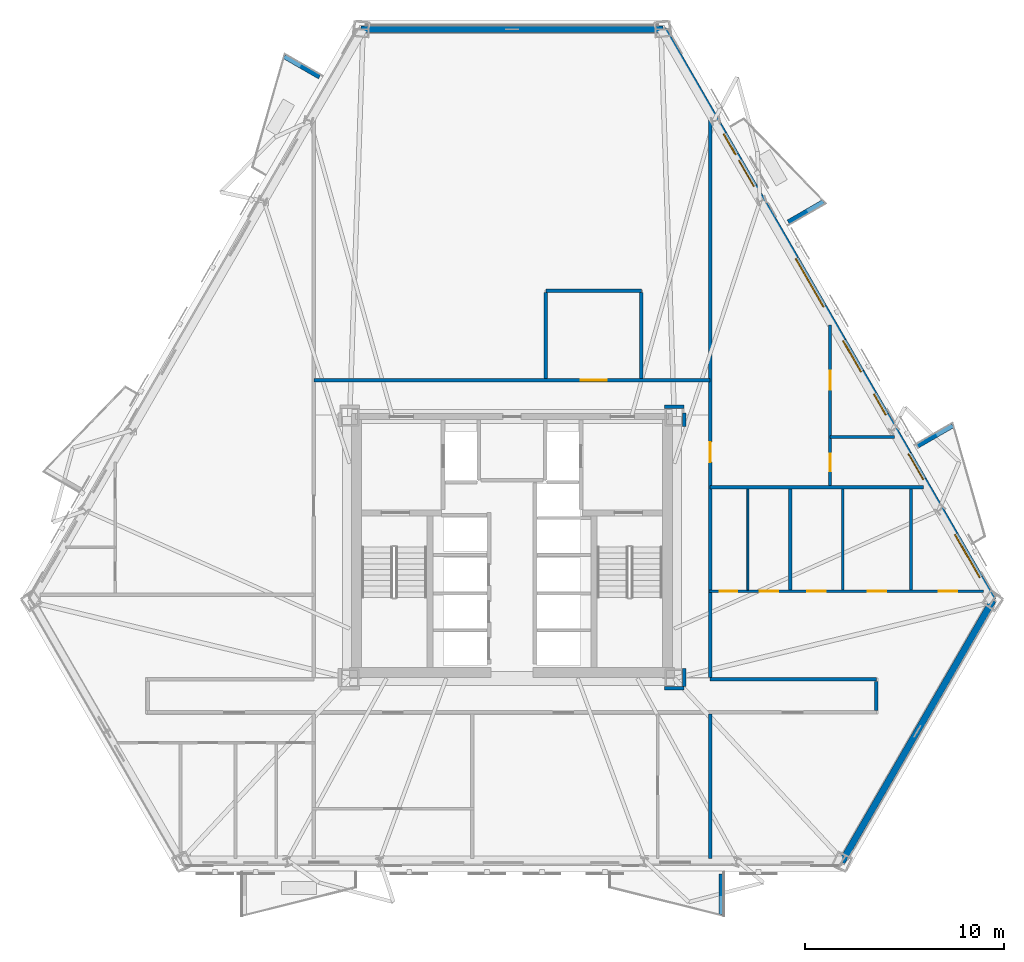
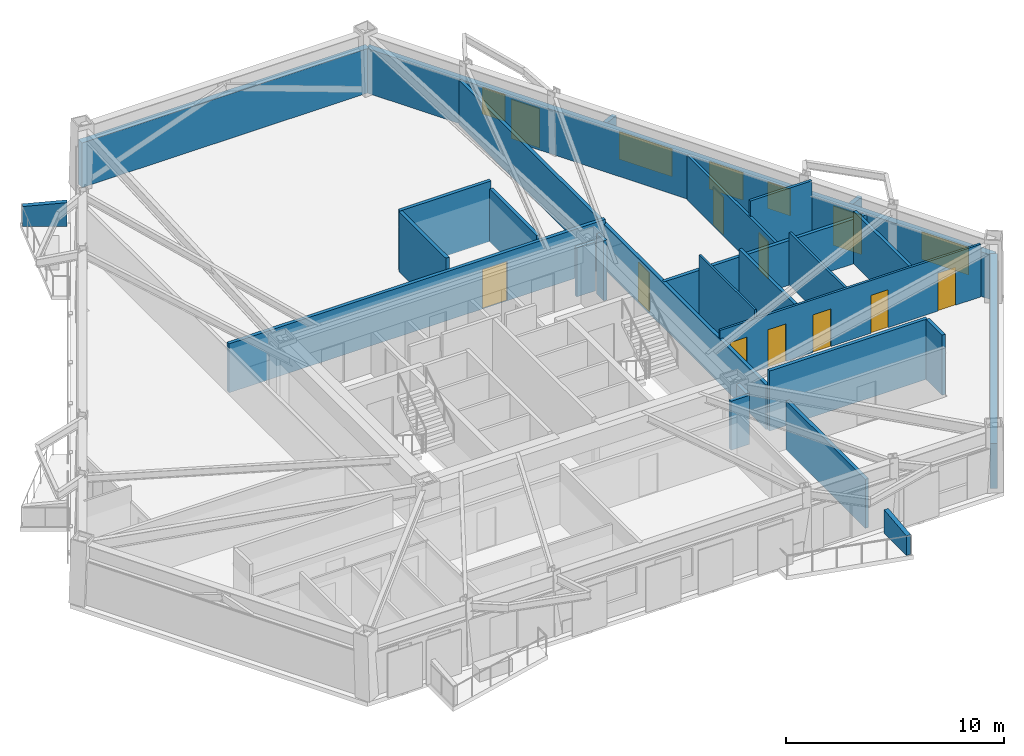
# One storey, part 5 of 13: 27 walls, 11 doors, 5 windows, 16 openings.
"""IFC4 building model written with IfcOpenShell, lengths in metres."""

import ifcopenshell
import ifcopenshell.guid

model = None  # the IFC model being written
_history = None  # IfcOwnerHistory: only IFC2X3 demands one
_inside = {}  # id of a spatial element -> (the spatial element, [elements in it])
_under = {}  # id of a project, library or spatial element -> (it, [spatial elements below it])
_declared = {}  # id of a project -> (the project, [libraries it declares])
_typed = {}  # id of a type object -> (the type object, [elements of that type])
_made_of = {}  # id of a material, layer set ... -> (it, [elements and type objects made of it])


def new_model(schema):
    """Start an empty IFC model of exactly this schema.

    Asked for "IFC4X3", IfcOpenShell would pick the latest addendum, in which some entities
    have other attributes; the version numbers below select the first issue.
    IFC2X3 requires an IfcOwnerHistory on every rooted entity: one is made here for all.
    """
    global model, _history
    if schema == "IFC4X3":
        model = ifcopenshell.file(schema_version=(4, 3, 0, 0))
    else:
        model = ifcopenshell.file(schema=schema)
    _inside.clear()
    _under.clear()
    _declared.clear()
    _typed.clear()
    _made_of.clear()
    _history = None
    if model.schema == "IFC2X3":
        org = make("IfcOrganization", Name="unknown")
        user = make(
            "IfcPersonAndOrganization",
            ThePerson=make("IfcPerson", FamilyName="unknown"),
            TheOrganization=org,
        )
        app = make(
            "IfcApplication",
            ApplicationDeveloper=org,
            Version="unknown",
            ApplicationFullName="unknown",
            ApplicationIdentifier="unknown",
        )
        _history = make(
            "IfcOwnerHistory",
            OwningUser=user,
            OwningApplication=app,
            ChangeAction="ADDED",
            CreationDate=0,
        )
    return model


def make(cls, **values):
    """One entity of the class cls with the attributes given. An attribute that is None is left unset."""
    return model.create_entity(
        cls, **{name: value for name, value in values.items() if value is not None}
    )


def rooted(cls, **values):
    """An entity with a GlobalId (a new one), such as an element, a storey or a relation."""
    return make(cls, GlobalId=ifcopenshell.guid.new(), OwnerHistory=_history, **values)


def si_unit(unit_type, name, prefix=None):
    """IfcSIUnit, for example si_unit("LENGTHUNIT", "METRE", prefix="MILLI")."""
    return make("IfcSIUnit", UnitType=unit_type, Prefix=prefix, Name=name)


def assignment(units):
    """IfcUnitAssignment: the units of a project."""
    return None if units is None else make("IfcUnitAssignment", Units=units)


def point(xyz):
    """IfcCartesianPoint."""
    return None if xyz is None else make("IfcCartesianPoint", Coordinates=xyz)


def direction(xyz):
    """IfcDirection."""
    return None if xyz is None else make("IfcDirection", DirectionRatios=xyz)


def frame(location, z_axis=None, x_axis=None):
    """IfcAxis2Placement3D, a coordinate frame: its origin and axes. An axis left out is left unset."""
    return make(
        "IfcAxis2Placement3D",
        Location=point(location),
        Axis=direction(z_axis),
        RefDirection=direction(x_axis),
    )


def frame_2d(location, x_axis=None):
    """IfcAxis2Placement2D, a coordinate frame in the plane: its origin and x axis."""
    return make(
        "IfcAxis2Placement2D", Location=point(location), RefDirection=direction(x_axis)
    )


def origin():
    """The frame at (0, 0, 0) with its axes left unset."""
    return frame((0.0, 0.0, 0.0))


def place(relative_to, where):
    """IfcLocalPlacement: puts the frame where relative to a parent placement (None: the world)."""
    return make(
        "IfcLocalPlacement", PlacementRelTo=relative_to, RelativePlacement=where
    )


def context(
    kind, dimensions, precision=None, world=None, true_north=None, identifier=None
):
    """IfcGeometricRepresentationContext, for example the 3D "Model" context."""
    return make(
        "IfcGeometricRepresentationContext",
        ContextIdentifier=identifier,
        ContextType=kind,
        CoordinateSpaceDimension=dimensions,
        Precision=precision,
        WorldCoordinateSystem=world,
        TrueNorth=true_north,
    )


def subcontext(parent, identifier, kind, view, scale=None):
    """IfcGeometricRepresentationSubContext, for example "Body" below "Model"."""
    return make(
        "IfcGeometricRepresentationSubContext",
        ContextIdentifier=identifier,
        ContextType=kind,
        ParentContext=parent,
        TargetScale=scale,
        TargetView=view,
    )


def project(units=None, contexts=None):
    """IfcProject with its units and contexts."""
    return rooted(
        "IfcProject",
        Name="project",
        RepresentationContexts=contexts,
        UnitsInContext=assignment(units),
    )


def spatial(cls, under=None, at=None, **own):
    """A site, building, storey or space (cls), placed at a placement, below another one or the project."""
    s = rooted(cls, ObjectPlacement=at, **own)
    if under is not None:
        _under.setdefault(under.id(), (under, []))[1].append(s)
    return s


def polyline(points):
    """IfcPolyline through the points."""
    return make("IfcPolyline", Points=[point(p) for p in points])


def profile(cls, at=None, kind="AREA", **sizes):
    """A parametric profile (cls). Its sizes go by their IFC names, for example OverallWidth=200.0."""
    return make(cls, ProfileType=kind, Position=at, **sizes)


def rectangle(**sizes):
    """IfcRectangleProfileDef."""
    return profile("IfcRectangleProfileDef", **sizes)


def outline(outer, holes=None, kind="AREA"):
    """IfcArbitraryClosedProfileDef: a profile drawn as a closed curve; with holes, ...WithVoids."""
    if holes is None:
        return make("IfcArbitraryClosedProfileDef", ProfileType=kind, OuterCurve=outer)
    return make(
        "IfcArbitraryProfileDefWithVoids",
        ProfileType=kind,
        OuterCurve=outer,
        InnerCurves=holes,
    )


def extrude(swept, where, along, depth):
    """IfcExtrudedAreaSolid: the profile swept, set in the frame where, extruded along a direction by depth."""
    return make(
        "IfcExtrudedAreaSolid",
        SweptArea=swept,
        Position=where,
        ExtrudedDirection=direction(along),
        Depth=depth,
    )


def shape(context_of_items, identifier, shape_type, items):
    """IfcShapeRepresentation: the items that make up one representation, for example the "Body"."""
    return make(
        "IfcShapeRepresentation",
        ContextOfItems=context_of_items,
        RepresentationIdentifier=identifier,
        RepresentationType=shape_type,
        Items=items,
    )


def material(Name=None, Category=None):
    """IfcMaterial."""
    return make("IfcMaterial", Name=Name, Category=Category)


def layer(
    of_material, thickness, ventilated=None, Name=None, Category=None, Priority=None
):
    """IfcMaterialLayer: one layer of a wall or slab, of a material (None: an air gap)."""
    return make(
        "IfcMaterialLayer",
        Material=of_material,
        LayerThickness=thickness,
        IsVentilated=ventilated,
        Name=Name,
        Category=Category,
        Priority=Priority,
    )


def layer_set(layers, Name=None):
    """IfcMaterialLayerSet."""
    return make("IfcMaterialLayerSet", MaterialLayers=layers, LayerSetName=Name)


def made_of(thing, what):
    """Note that an element or type object is made of a material, layer set ...; save() writes the relation."""
    if what is not None:
        _made_of.setdefault(what.id(), (what, []))[1].append(thing)
    return thing


def type_object(cls, material=None, **own):
    """A type object (cls), such as IfcWallType, which elements share."""
    return made_of(rooted(cls, **own), material)


def element(
    cls,
    number,
    at=None,
    inside=None,
    cuts=None,
    type_object=None,
    material=None,
    context=None,
    identifier="Body",
    shape_type=None,
    held_by="IfcProductDefinitionShape",
    body=None,
    shapes=None,
    **own,
):
    """One element of the class cls, such as IfcWall. Its Tag is "e" and its number.

    at: its placement. inside: the storey or other place that contains it. cuts: it is an
    opening in that element (IfcRelVoidsElement). A single representation is given by context,
    identifier, shape_type and body (its items); several are given by shapes. held_by: the class
    of the entity that holds the representations. save() writes the other relations.
    """
    e = rooted(cls, Tag="e%d" % number, ObjectPlacement=at, **own)
    if body is not None:
        shapes = [shape(context, identifier, shape_type, body)]
    if shapes is not None:
        e.Representation = make(held_by, Representations=shapes)
    if inside is not None:
        _inside.setdefault(inside.id(), (inside, []))[1].append(e)
    if cuts is not None:
        rooted(
            "IfcRelVoidsElement", RelatingBuildingElement=cuts, RelatedOpeningElement=e
        )
    if type_object is not None:
        _typed.setdefault(type_object.id(), (type_object, []))[1].append(e)
    return made_of(e, material)


def fill(opening, filler):
    """IfcRelFillsElement: the door or window that sits in an opening."""
    return rooted(
        "IfcRelFillsElement",
        RelatingOpeningElement=opening,
        RelatedBuildingElement=filler,
    )


def aggregate(whole, parts):
    """IfcRelAggregates: a whole, such as a stair, and the parts it consists of."""
    return rooted("IfcRelAggregates", RelatingObject=whole, RelatedObjects=parts)


def save(model, path):
    """Write the relations noted so far, then the file.

    IfcRelAggregates (storeys below a building ...), IfcRelContainedInSpatialStructure (elements
    in a storey), IfcRelDefinesByType, IfcRelAssociatesMaterial and IfcRelDeclares: one each for
    every whole, place, type object, material and project.
    """
    for whole, parts in _under.values():
        aggregate(whole, parts)
    for where, things in _inside.values():
        rooted(
            "IfcRelContainedInSpatialStructure",
            RelatedElements=things,
            RelatingStructure=where,
        )
    for kind, things in _typed.values():
        rooted("IfcRelDefinesByType", RelatedObjects=things, RelatingType=kind)
    for what, things in _made_of.values():
        rooted("IfcRelAssociatesMaterial", RelatedObjects=things, RelatingMaterial=what)
    for by, libraries in _declared.values():
        rooted("IfcRelDeclares", RelatingContext=by, RelatedDefinitions=libraries)
    model.write(path)


model = new_model("IFC4")

# Units and contexts
model_context = context("Model", 3, precision=1e-05, world=origin(), true_north=direction((0.0, 1.0)))
body_context = subcontext(model_context, "Body", "Model", "MODEL_VIEW")
ifc_project = project(units=[si_unit("LENGTHUNIT", "METRE"), si_unit("AREAUNIT", "SQUARE_METRE"), si_unit("VOLUMEUNIT", "CUBIC_METRE"), si_unit("PLANEANGLEUNIT", "RADIAN"), si_unit("MASSUNIT", "GRAM", prefix="KILO")], contexts=[model_context])

# Site, building, storey
site_placement = place(None, origin())
site = spatial("IfcSite", under=ifc_project, at=site_placement, CompositionType="ELEMENT")
building_placement = place(site_placement, origin())
building = spatial("IfcBuilding", under=site, at=building_placement, Name="Oramaril Tower", CompositionType="ELEMENT")
storey_placement = place(building_placement, frame((0.0, 0.0, 41.699951171875)))
storey = spatial("IfcBuildingStorey", under=building, at=storey_placement, Name="L10", CompositionType="ELEMENT", Elevation=41.699951171875)

# Wall
ifc_material_1 = material(Name="Warm Cream Limestone", Category="masonry")
ifc_layer_1 = layer(ifc_material_1, 0.340087890625)
ifc_layer_set_1 = layer_set([ifc_layer_1], Name="WT-EXT34")
wall_type_1 = type_object("IfcWallType", Name="WT-EXT34", PredefinedType="SOLIDWALL", material=ifc_layer_set_1)
wall_1_placement = place(storey_placement, frame((54.059326171875, 1.7763671875, 0.0), z_axis=(0.0, 0.0, 1.0), x_axis=(0.499998602503, 0.866026210628, 0.0)))
element("IfcWall", 1, at=wall_1_placement, inside=storey, type_object=wall_type_1, Name="L10 Tower Limestone Facade Wall 3M", PredefinedType="SOLIDWALL", context=body_context, shape_type="SweptSolid", body=[
    extrude(rectangle(XDim=15.17822265625, YDim=0.340087890625, at=frame_2d((7.589111328125, 0.0))), origin(), (0.0, 0.0, 1.0), 2.494140625),
])

# Wall, openings, doors, windows
wall_2_placement = place(storey_placement, frame((61.6484375, 14.921142578125, 0.0), z_axis=(0.0, 0.0, 1.0), x_axis=(-0.500002585961, 0.866023910774, 0.0)))
wall_2 = element("IfcWall", 2, at=wall_2_placement, inside=storey, type_object=wall_type_1, Name="L10 Tower Limestone Facade Wall 4M", PredefinedType="SOLIDWALL", context=body_context, shape_type="SweptSolid", body=[
    extrude(rectangle(XDim=33.118408203125, YDim=0.340087890625, at=frame_2d((16.55908203125, 0.0))), origin(), (0.0, 0.0, 1.0), 2.494140625),
])
opening_1_placement = place(wall_2_placement, frame((6.99951171875, 0.0, 0.0)))
opening_1 = element("IfcOpeningElement", 3, at=opening_1_placement, cuts=wall_2, Name="Opening D-L10-BAL-NE1", PredefinedType="OPENING", context=body_context, shape_type="SweptSolid", body=[
    extrude(rectangle(XDim=1.5, YDim=2.199951171875, at=frame_2d((0.75, 1.10009765625))), frame((0.0, 0.169921875, 0.0), z_axis=(0.0, -1.0, 0.0), x_axis=(1.0, 0.0, 0.0)), (0.0, 0.0, 1.0), 0.340087890625),
])
opening_2_placement = place(wall_2_placement, frame((24.004150390625, 0.0, 0.0)))
opening_2 = element("IfcOpeningElement", 4, at=opening_2_placement, cuts=wall_2, Name="Opening D-L10-BAL-NE2", PredefinedType="OPENING", context=body_context, shape_type="SweptSolid", body=[
    extrude(rectangle(XDim=1.5, YDim=2.199951171875, at=frame_2d((0.75, 1.10009765625))), frame((0.0, 0.169921875, 0.0), z_axis=(0.0, -1.0, 0.0), x_axis=(1.0, 0.0, 0.0)), (0.0, 0.0, 1.0), 0.340087890625),
])
opening_3_placement = place(wall_2_placement, frame((1.32373046875, 0.0, 0.85009765625)))
opening_3 = element("IfcOpeningElement", 5, at=opening_3_placement, cuts=wall_2, Name="Opening WN-11", PredefinedType="OPENING", context=body_context, shape_type="SweptSolid", body=[
    extrude(rectangle(XDim=2.5, YDim=1.533935546875, at=frame_2d((1.25, 0.76708984375))), frame((0.0, 0.169921875, 0.0), z_axis=(0.0, -1.0, 0.0), x_axis=(1.0, 0.0, 0.0)), (0.0, 0.0, 1.0), 0.340087890625),
])
opening_4_placement = place(wall_2_placement, frame((17.010986328125, 0.0, 0.85009765625)))
opening_4 = element("IfcOpeningElement", 6, at=opening_4_placement, cuts=wall_2, Name="Opening WN-01", PredefinedType="OPENING", context=body_context, shape_type="SweptSolid", body=[
    extrude(rectangle(XDim=2.800048828125, YDim=1.533935546875, at=frame_2d((1.39990234375, 0.76708984375))), frame((0.0, 0.169921875, 0.0), z_axis=(0.0, -1.0, 0.0), x_axis=(1.0, 0.0, 0.0)), (0.0, 0.0, 1.0), 0.340087890625),
])
opening_5_placement = place(wall_2_placement, frame((25.83984375, 0.0, 0.85009765625)))
opening_5 = element("IfcOpeningElement", 7, at=opening_5_placement, cuts=wall_2, Name="Opening WN-09", PredefinedType="OPENING", context=body_context, shape_type="SweptSolid", body=[
    extrude(rectangle(XDim=1.199951171875, YDim=1.47998046875, at=frame_2d((0.60009765625, 0.739990234375))), frame((0.0, 0.169921875, 0.0), z_axis=(0.0, -1.0, 0.0), x_axis=(1.0, 0.0, 0.0)), (0.0, 0.0, 1.0), 0.340087890625),
])
opening_6_placement = place(wall_2_placement, frame((10.758056640625, 0.0, 0.85009765625)))
opening_6 = element("IfcOpeningElement", 8, at=opening_6_placement, cuts=wall_2, Name="Opening WN-09", PredefinedType="OPENING", context=body_context, shape_type="SweptSolid", body=[
    extrude(rectangle(XDim=1.199951171875, YDim=1.47998046875, at=frame_2d((0.60009765625, 0.739990234375))), frame((0.0, 0.169921875, 0.0), z_axis=(0.0, -1.0, 0.0), x_axis=(1.0, 0.0, 0.0)), (0.0, 0.0, 1.0), 0.340087890625),
])
opening_7_placement = place(wall_2_placement, frame((13.24560546875, 0.0, 0.85009765625)))
opening_7 = element("IfcOpeningElement", 9, at=opening_7_placement, cuts=wall_2, Name="Opening WN-06", PredefinedType="OPENING", context=body_context, shape_type="SweptSolid", body=[
    extrude(rectangle(XDim=1.800048828125, YDim=1.533935546875, at=frame_2d((0.89990234375, 0.76708984375))), frame((0.0, 0.169921875, 0.0), z_axis=(0.0, -1.0, 0.0), x_axis=(1.0, 0.0, 0.0)), (0.0, 0.0, 1.0), 0.340087890625),
])
ifc_material_2 = material(Name="Anodised Aluminium 6063-T6", Category="aluminium")
door_type_1 = type_object("IfcDoorType", Name="DT-BAL", OperationType="NOTDEFINED", PredefinedType="DOOR", material=ifc_material_2)
door_1_placement = place(opening_1_placement, origin())
door_1 = element("IfcDoor", 10, at=door_1_placement, inside=storey, type_object=door_type_1, Name="L10 Balcony Glazed Door L10-BAL-NE1", OperationType="SINGLE_SWING_LEFT", OverallHeight=2.199951171875, OverallWidth=1.5, PredefinedType="DOOR", context=body_context, shape_type="SweptSolid", body=[
    extrude(rectangle(XDim=1.5, YDim=2.199951171875, at=frame_2d((0.75, 1.10009765625))), frame((0.0, 0.02490234375, 0.0), z_axis=(0.0, -1.0, 0.0), x_axis=(1.0, 0.0, 0.0)), (0.0, 0.0, 1.0), 0.050048828125),
])
fill(opening_1, door_1)
door_2_placement = place(opening_2_placement, origin())
door_2 = element("IfcDoor", 11, at=door_2_placement, inside=storey, type_object=door_type_1, Name="L10 Balcony Glazed Door L10-BAL-NE2", OperationType="SINGLE_SWING_RIGHT", OverallHeight=2.199951171875, OverallWidth=1.5, PredefinedType="DOOR", context=body_context, shape_type="SweptSolid", body=[
    extrude(rectangle(XDim=1.5, YDim=2.199951171875, at=frame_2d((0.75, 1.10009765625))), frame((0.0, 0.02490234375, 0.0), z_axis=(0.0, -1.0, 0.0), x_axis=(1.0, 0.0, 0.0)), (0.0, 0.0, 1.0), 0.050048828125),
])
fill(opening_2, door_2)
ifc_material_3 = material(Name="Coastal Low-E Insulated Glass", Category="glass")
window_type_1 = type_object("IfcWindowType", Name="WNT-01", PartitioningType="SINGLE_PANEL", PredefinedType="WINDOW", material=ifc_material_3)
window_1_placement = place(opening_4_placement, origin())
window_1 = element("IfcWindow", 12, at=window_1_placement, inside=storey, type_object=window_type_1, Name="L10 Chicago Bay Window WN-01", OverallHeight=1.533935546875, OverallWidth=2.800048828125, PartitioningType="SINGLE_PANEL", PredefinedType="WINDOW", context=body_context, shape_type="SweptSolid", body=[
    extrude(rectangle(XDim=2.800048828125, YDim=1.533935546875, at=frame_2d((1.39990234375, 0.76708984375))), frame((0.0, 0.030029296875, 0.0), z_axis=(0.0, -1.0, 0.0), x_axis=(1.0, 0.0, 0.0)), (0.0, 0.0, 1.0), 0.06005859375),
])
fill(opening_4, window_1)
ifc_material_4 = material(Name="Coastal Low-E Insulated Glass", Category="glass")
window_type_2 = type_object("IfcWindowType", Name="WNT-06", PartitioningType="SINGLE_PANEL", PredefinedType="WINDOW", material=ifc_material_4)
window_2_placement = place(opening_7_placement, origin())
window_2 = element("IfcWindow", 13, at=window_2_placement, inside=storey, type_object=window_type_2, Name="L10 Chicago Bay Window WN-06", OverallHeight=1.533935546875, OverallWidth=1.800048828125, PartitioningType="SINGLE_PANEL", PredefinedType="WINDOW", context=body_context, shape_type="SweptSolid", body=[
    extrude(rectangle(XDim=1.800048828125, YDim=1.533935546875, at=frame_2d((0.89990234375, 0.76708984375))), frame((0.0, 0.030029296875, 0.0), z_axis=(0.0, -1.0, 0.0), x_axis=(1.0, 0.0, 0.0)), (0.0, 0.0, 1.0), 0.06005859375),
])
fill(opening_7, window_2)
ifc_material_5 = material(Name="Coastal Low-E Insulated Glass", Category="glass")
window_type_3 = type_object("IfcWindowType", Name="WNT-09", PartitioningType="SINGLE_PANEL", PredefinedType="WINDOW", material=ifc_material_5)
window_3_placement = place(opening_5_placement, origin())
window_3 = element("IfcWindow", 14, at=window_3_placement, inside=storey, type_object=window_type_3, Name="L10 Chicago Bay Window WN-09", OverallHeight=1.47998046875, OverallWidth=1.199951171875, PartitioningType="SINGLE_PANEL", PredefinedType="WINDOW", context=body_context, shape_type="SweptSolid", body=[
    extrude(rectangle(XDim=1.199951171875, YDim=1.47998046875, at=frame_2d((0.60009765625, 0.739990234375))), frame((0.0, 0.030029296875, 0.0), z_axis=(0.0, -1.0, 0.0), x_axis=(1.0, 0.0, 0.0)), (0.0, 0.0, 1.0), 0.06005859375),
])
fill(opening_5, window_3)
window_4_placement = place(opening_6_placement, origin())
window_4 = element("IfcWindow", 15, at=window_4_placement, inside=storey, type_object=window_type_3, Name="L10 Chicago Bay Window WN-09", OverallHeight=1.47998046875, OverallWidth=1.199951171875, PartitioningType="SINGLE_PANEL", PredefinedType="WINDOW", context=body_context, shape_type="SweptSolid", body=[
    extrude(rectangle(XDim=1.199951171875, YDim=1.47998046875, at=frame_2d((0.60009765625, 0.739990234375))), frame((0.0, 0.030029296875, 0.0), z_axis=(0.0, -1.0, 0.0), x_axis=(1.0, 0.0, 0.0)), (0.0, 0.0, 1.0), 0.06005859375),
])
fill(opening_6, window_4)
ifc_material_6 = material(Name="Coastal Low-E Insulated Glass", Category="glass")
window_type_4 = type_object("IfcWindowType", Name="WNT-11", PartitioningType="SINGLE_PANEL", PredefinedType="WINDOW", material=ifc_material_6)
window_5_placement = place(opening_3_placement, origin())
window_5 = element("IfcWindow", 16, at=window_5_placement, inside=storey, type_object=window_type_4, Name="L10 Chicago Bay Window WN-11", OverallHeight=1.533935546875, OverallWidth=2.5, PartitioningType="SINGLE_PANEL", PredefinedType="WINDOW", context=body_context, shape_type="SweptSolid", body=[
    extrude(rectangle(XDim=2.5, YDim=1.533935546875, at=frame_2d((1.25, 0.76708984375))), frame((0.0, 0.030029296875, 0.0), z_axis=(0.0, -1.0, 0.0), x_axis=(1.0, 0.0, 0.0)), (0.0, 0.0, 1.0), 0.06005859375),
])
fill(opening_3, window_5)

# Walls
wall_3_placement = place(storey_placement, frame((45.089111328125, 43.6025390625, 0.0), z_axis=(0.0, 0.0, 1.0), x_axis=(-1.0, 0.0, 0.0)))
element("IfcWall", 17, at=wall_3_placement, inside=storey, type_object=wall_type_1, Name="L10 Tower Limestone Facade Wall 5M", PredefinedType="SOLIDWALL", context=body_context, shape_type="SweptSolid", body=[
    extrude(rectangle(XDim=15.17822265625, YDim=0.340087890625, at=frame_2d((7.589111328125, 0.0))), origin(), (0.0, 0.0, 1.0), 2.494140625),
])
ifc_material_7 = material(Name="Concrete C40/50", Category="concrete")
ifc_layer_2 = layer(ifc_material_7, 0.22998046875)
ifc_layer_set_2 = layer_set([ifc_layer_2], Name="WT-PRP23")
wall_type_2 = type_object("IfcWallType", Name="WT-PRP23", PredefinedType="PARAPET", material=ifc_layer_set_2)
for number, where, z_axis, x_axis, name in (
    (18, (48.02001953125, 1.17822265625, 0.0), (0.0, 0.0, 1.0), (0.0, -1.0, 0.0), "L10 Trapezoidal Balcony Frame Cheek L10-BAL-S2-R"),
    (19, (57.864013671875, 22.671630859375, 0.0), (0.0, 0.0, 1.0), (0.866042246008, 0.499970827278, 0.0), "L10 Trapezoidal Balcony Frame Cheek L10-BAL-NE1-R"),
    (20, (51.37158203125, 33.9169921875, 0.0), (0.0, 0.0, 1.0), (0.866042246008, 0.499970827278, 0.0), "L10 Trapezoidal Balcony Frame Cheek L10-BAL-NE2-L"),
    (21, (27.835693359375, 41.204345703125, 0.0), (0.0, 0.0, 1.0), (-0.866012356593, 0.500022597718, 0.0), "L10 Trapezoidal Balcony Frame Cheek L10-BAL-NW1-L"),
):
    element("IfcWall", number, at=place(storey_placement, frame(where, z_axis=z_axis, x_axis=x_axis)), inside=storey, type_object=wall_type_2, Name=name, PredefinedType="PARAPET", context=body_context, shape_type="SweptSolid", body=[
        extrude(outline(polyline([(0.0, 0.0), (2.0419921875, 0.0), (2.0419921875, 1.10009765625), (0.0, 1.320068359375), (0.0, 0.0)])), frame((0.0, 0.114990234375, 0.0), z_axis=(0.0, -1.0, 0.0), x_axis=(1.0, 0.0, 0.0)), (0.0, 0.0, 1.0), 0.22998046875),
    ])
ifc_material_8 = material(Name="Acoustic Gypsum Board Partition")
ifc_layer_3 = layer(ifc_material_8, 0.10009765625)
ifc_layer_set_3 = layer_set([ifc_layer_3], Name="WT-PT10")
wall_type_3 = type_object("IfcWallType", Name="WT-PT10", PredefinedType="PARTITIONING", material=ifc_layer_set_3)
wall_4_placement = place(storey_placement, frame((49.340087890625, 15.43408203125, 0.0), z_axis=(0.0, 0.0, 1.0), x_axis=(0.0, 1.0, 0.0)))
element("IfcWall", 22, at=wall_4_placement, inside=storey, type_object=wall_type_3, Name="L10 Interior Partition PT-10", PredefinedType="PARTITIONING", context=body_context, shape_type="SweptSolid", body=[
    extrude(rectangle(XDim=5.072021484375, YDim=0.10009765625, at=frame_2d((2.5361328125, 0.0))), origin(), (0.0, 0.0, 1.0), 3.360107421875),
])

# Wall, openings, doors
ifc_material_9 = material(Name="Acoustic Gypsum Board Partition")
ifc_layer_4 = layer(ifc_material_9, 0.1201171875)
ifc_layer_set_4 = layer_set([ifc_layer_4], Name="WT-PT12")
wall_type_4 = type_object("IfcWallType", Name="WT-PT12", PredefinedType="PARTITIONING", material=ifc_layer_set_4)
wall_5_placement = place(storey_placement, frame((47.39990234375, 15.3701171875, 0.0), z_axis=(0.0, 0.0, 1.0), x_axis=(1.0, 0.0, 0.0)))
wall_5 = element("IfcWall", 23, at=wall_5_placement, inside=storey, type_object=wall_type_4, Name="L10 Interior Partition PT-12", PredefinedType="PARTITIONING", context=body_context, shape_type="SweptSolid", body=[
    extrude(rectangle(XDim=13.788330078125, YDim=0.1201171875, at=frame_2d((6.89404296875, 0.0))), origin(), (0.0, 0.0, 1.0), 2.946044921875),
])
opening_8_placement = place(wall_5_placement, frame((0.5400390625, 0.0, 0.0)))
opening_8 = element("IfcOpeningElement", 24, at=opening_8_placement, cuts=wall_5, Name="Opening D-L10-10", PredefinedType="OPENING", context=body_context, shape_type="SweptSolid", body=[
    extrude(rectangle(XDim=0.8798828125, YDim=2.080078125, at=frame_2d((0.43994140625, 1.0400390625))), frame((0.0, 0.06005859375, 0.0), z_axis=(0.0, -1.0, 0.0), x_axis=(1.0, 0.0, 0.0)), (0.0, 0.0, 1.0), 0.1201171875),
])
opening_9_placement = place(wall_5_placement, frame((2.53076171875, 0.0, 0.0)))
opening_9 = element("IfcOpeningElement", 25, at=opening_9_placement, cuts=wall_5, Name="Opening D-L10-11", PredefinedType="OPENING", context=body_context, shape_type="SweptSolid", body=[
    extrude(rectangle(XDim=0.949951171875, YDim=2.10009765625, at=frame_2d((0.47509765625, 1.050048828125))), frame((0.0, 0.06005859375, 0.0), z_axis=(0.0, -1.0, 0.0), x_axis=(1.0, 0.0, 0.0)), (0.0, 0.0, 1.0), 0.1201171875),
])
opening_10_placement = place(wall_5_placement, frame((4.916015625, 0.0, 0.0)))
opening_10 = element("IfcOpeningElement", 26, at=opening_10_placement, cuts=wall_5, Name="Opening D-L10-12", PredefinedType="OPENING", context=body_context, shape_type="SweptSolid", body=[
    extrude(rectangle(XDim=0.949951171875, YDim=2.10009765625, at=frame_2d((0.47509765625, 1.050048828125))), frame((0.0, 0.06005859375, 0.0), z_axis=(0.0, -1.0, 0.0), x_axis=(1.0, 0.0, 0.0)), (0.0, 0.0, 1.0), 0.1201171875),
])
opening_11_placement = place(wall_5_placement, frame((7.9609375, 0.0, 0.0)))
opening_11 = element("IfcOpeningElement", 27, at=opening_11_placement, cuts=wall_5, Name="Opening D-L10-13", PredefinedType="OPENING", context=body_context, shape_type="SweptSolid", body=[
    extrude(rectangle(XDim=0.919921875, YDim=2.1201171875, at=frame_2d((0.4599609375, 1.06005859375))), frame((0.0, 0.06005859375, 0.0), z_axis=(0.0, -1.0, 0.0), x_axis=(1.0, 0.0, 0.0)), (0.0, 0.0, 1.0), 0.1201171875),
])
opening_12_placement = place(wall_5_placement, frame((11.5283203125, 0.0, 0.0)))
opening_12 = element("IfcOpeningElement", 28, at=opening_12_placement, cuts=wall_5, Name="Opening D-L10-14", PredefinedType="OPENING", context=body_context, shape_type="SweptSolid", body=[
    extrude(rectangle(XDim=0.919921875, YDim=2.1201171875, at=frame_2d((0.4599609375, 1.06005859375))), frame((0.0, 0.06005859375, 0.0), z_axis=(0.0, -1.0, 0.0), x_axis=(1.0, 0.0, 0.0)), (0.0, 0.0, 1.0), 0.1201171875),
])
ifc_material_10 = material(Name="FSC Brazilian Freijo Hardwood", Category="wood")
door_type_2 = type_object("IfcDoorType", Name="DT-BATH", OperationType="NOTDEFINED", PredefinedType="DOOR", material=ifc_material_10)
door_3_placement = place(opening_8_placement, origin())
door_3 = element("IfcDoor", 29, at=door_3_placement, inside=storey, type_object=door_type_2, Name="L10 Flat L10-U5 Bathroom Door D-L10-10", OperationType="SINGLE_SWING_LEFT", OverallHeight=2.080078125, OverallWidth=0.8798828125, PredefinedType="DOOR", context=body_context, shape_type="SweptSolid", body=[
    extrude(rectangle(XDim=0.8798828125, YDim=2.080078125, at=frame_2d((0.43994140625, 1.0400390625))), frame((0.0, 0.02490234375, 0.0), z_axis=(0.0, -1.0, 0.0), x_axis=(1.0, 0.0, 0.0)), (0.0, 0.0, 1.0), 0.050048828125),
])
fill(opening_8, door_3)
ifc_material_11 = material(Name="FSC Brazilian Freijo Hardwood", Category="wood")
door_type_3 = type_object("IfcDoorType", Name="DT-BED", OperationType="NOTDEFINED", PredefinedType="DOOR", material=ifc_material_11)
door_4_placement = place(opening_11_placement, origin())
door_4 = element("IfcDoor", 30, at=door_4_placement, inside=storey, type_object=door_type_3, Name="L10 Flat L10-U5 Bedroom 2 Door D-L10-13", OperationType="SINGLE_SWING_RIGHT", OverallHeight=2.1201171875, OverallWidth=0.919921875, PredefinedType="DOOR", context=body_context, shape_type="SweptSolid", body=[
    extrude(rectangle(XDim=0.919921875, YDim=2.1201171875, at=frame_2d((0.4599609375, 1.06005859375))), frame((0.0, 0.02490234375, 0.0), z_axis=(0.0, -1.0, 0.0), x_axis=(1.0, 0.0, 0.0)), (0.0, 0.0, 1.0), 0.050048828125),
])
fill(opening_11, door_4)
door_5_placement = place(opening_12_placement, origin())
door_5 = element("IfcDoor", 31, at=door_5_placement, inside=storey, type_object=door_type_3, Name="L10 Flat L10-U5 Master Bedroom Door D-L10-14", OperationType="SINGLE_SWING_LEFT", OverallHeight=2.1201171875, OverallWidth=0.919921875, PredefinedType="DOOR", context=body_context, shape_type="SweptSolid", body=[
    extrude(rectangle(XDim=0.919921875, YDim=2.1201171875, at=frame_2d((0.4599609375, 1.06005859375))), frame((0.0, 0.02490234375, 0.0), z_axis=(0.0, -1.0, 0.0), x_axis=(1.0, 0.0, 0.0)), (0.0, 0.0, 1.0), 0.050048828125),
])
fill(opening_12, door_5)
ifc_material_12 = material(Name="FSC Brazilian Freijo Hardwood", Category="wood")
door_type_4 = type_object("IfcDoorType", Name="DT-STDY", OperationType="NOTDEFINED", PredefinedType="DOOR", material=ifc_material_12)
door_6_placement = place(opening_9_placement, origin())
door_6 = element("IfcDoor", 32, at=door_6_placement, inside=storey, type_object=door_type_4, Name="L10 Flat L10-U5 Kitchen Door D-L10-11", OperationType="SINGLE_SWING_RIGHT", OverallHeight=2.10009765625, OverallWidth=0.949951171875, PredefinedType="DOOR", context=body_context, shape_type="SweptSolid", body=[
    extrude(rectangle(XDim=0.949951171875, YDim=2.10009765625, at=frame_2d((0.47509765625, 1.050048828125))), frame((0.0, 0.02490234375, 0.0), z_axis=(0.0, -1.0, 0.0), x_axis=(1.0, 0.0, 0.0)), (0.0, 0.0, 1.0), 0.050048828125),
])
fill(opening_9, door_6)
door_7_placement = place(opening_10_placement, origin())
door_7 = element("IfcDoor", 33, at=door_7_placement, inside=storey, type_object=door_type_4, Name="L10 Flat L10-U5 Reading Study Door D-L10-12", OperationType="SINGLE_SWING_LEFT", OverallHeight=2.10009765625, OverallWidth=0.949951171875, PredefinedType="DOOR", context=body_context, shape_type="SweptSolid", body=[
    extrude(rectangle(XDim=0.949951171875, YDim=2.10009765625, at=frame_2d((0.47509765625, 1.050048828125))), frame((0.0, 0.02490234375, 0.0), z_axis=(0.0, -1.0, 0.0), x_axis=(1.0, 0.0, 0.0)), (0.0, 0.0, 1.0), 0.050048828125),
])
fill(opening_10, door_7)

# Walls
wall_6_placement = place(storey_placement, frame((54.110107421875, 15.43408203125, 0.0), z_axis=(0.0, 0.0, 1.0), x_axis=(0.0, 1.0, 0.0)))
element("IfcWall", 34, at=wall_6_placement, inside=storey, type_object=wall_type_4, Name="L10 Interior Partition PT-12", PredefinedType="PARTITIONING", context=body_context, shape_type="SweptSolid", body=[
    extrude(rectangle(XDim=5.072021484375, YDim=0.1201171875, at=frame_2d((2.5361328125, 0.0))), origin(), (0.0, 0.0, 1.0), 2.946044921875),
])
ifc_material_13 = material(Name="Acoustic Gypsum Board Partition")
ifc_layer_5 = layer(ifc_material_13, 0.139892578125)
ifc_layer_set_5 = layer_set([ifc_layer_5], Name="WT-PT14")
wall_type_5 = type_object("IfcWallType", Name="WT-PT14", PredefinedType="PARTITIONING", material=ifc_layer_set_5)
wall_7_placement = place(storey_placement, frame((53.468017578125, 23.1201171875, 0.0), z_axis=(0.0, 0.0, 1.0), x_axis=(1.0, 0.0, 0.0)))
element("IfcWall", 35, at=wall_7_placement, inside=storey, type_object=wall_type_5, Name="L10 Interior Partition PT-14", PredefinedType="PARTITIONING", context=body_context, shape_type="SweptSolid", body=[
    extrude(rectangle(XDim=3.245849609375, YDim=0.139892578125, at=frame_2d((1.623046875, 0.0))), origin(), (0.0, 0.0, 1.0), 3.360107421875),
])

# Wall, openings, doors
wall_8_placement = place(storey_placement, frame((53.469970703125, 20.694091796875, 0.0), z_axis=(0.0, 0.0, 1.0), x_axis=(0.0, 1.0, 0.0)))
wall_8 = element("IfcWall", 36, at=wall_8_placement, inside=storey, type_object=wall_type_5, Name="L10 Interior Partition PT-14", PredefinedType="PARTITIONING", context=body_context, shape_type="SweptSolid", body=[
    extrude(rectangle(XDim=8.04443359375, YDim=0.139892578125, at=frame_2d((4.022216796875, 0.0))), origin(), (0.0, 0.0, 1.0), 2.494140625),
])
opening_13_placement = place(wall_8_placement, frame((0.7109375, 0.0, 0.0)))
opening_13 = element("IfcOpeningElement", 37, at=opening_13_placement, cuts=wall_8, Name="Opening D-L10-21", PredefinedType="OPENING", context=body_context, shape_type="SweptSolid", body=[
    extrude(rectangle(XDim=0.8798828125, YDim=2.080078125, at=frame_2d((0.43994140625, 1.0400390625))), frame((0.0, 0.06982421875, 0.0), z_axis=(0.0, -1.0, 0.0), x_axis=(1.0, 0.0, 0.0)), (0.0, 0.0, 1.0), 0.139892578125),
])
opening_14_placement = place(wall_8_placement, frame((4.801025390625, 0.0, 0.0)))
opening_14 = element("IfcOpeningElement", 38, at=opening_14_placement, cuts=wall_8, Name="Opening D-L10-22", PredefinedType="OPENING", context=body_context, shape_type="SweptSolid", body=[
    extrude(rectangle(XDim=0.949951171875, YDim=2.10009765625, at=frame_2d((0.47509765625, 1.050048828125))), frame((0.0, 0.06982421875, 0.0), z_axis=(0.0, -1.0, 0.0), x_axis=(1.0, 0.0, 0.0)), (0.0, 0.0, 1.0), 0.139892578125),
])
door_8_placement = place(opening_13_placement, origin())
door_8 = element("IfcDoor", 39, at=door_8_placement, inside=storey, type_object=door_type_2, Name="L10 Flat L10-U6 Bathroom Door D-L10-21", OperationType="SINGLE_SWING_RIGHT", OverallHeight=2.080078125, OverallWidth=0.8798828125, PredefinedType="DOOR", context=body_context, shape_type="SweptSolid", body=[
    extrude(rectangle(XDim=0.8798828125, YDim=2.080078125, at=frame_2d((0.43994140625, 1.0400390625))), frame((0.0, 0.02490234375, 0.0), z_axis=(0.0, -1.0, 0.0), x_axis=(1.0, 0.0, 0.0)), (0.0, 0.0, 1.0), 0.050048828125),
])
fill(opening_13, door_8)
door_9_placement = place(opening_14_placement, origin())
door_9 = element("IfcDoor", 40, at=door_9_placement, inside=storey, type_object=door_type_4, Name="L10 Flat L10-U6 Kitchen Door D-L10-22", OperationType="SINGLE_SWING_LEFT", OverallHeight=2.10009765625, OverallWidth=0.949951171875, PredefinedType="DOOR", context=body_context, shape_type="SweptSolid", body=[
    extrude(rectangle(XDim=0.949951171875, YDim=2.10009765625, at=frame_2d((0.47509765625, 1.050048828125))), frame((0.0, 0.02490234375, 0.0), z_axis=(0.0, -1.0, 0.0), x_axis=(1.0, 0.0, 0.0)), (0.0, 0.0, 1.0), 0.050048828125),
])
fill(opening_14, door_9)

# Walls
ifc_material_14 = material(Name="Acoustic Gypsum Board Partition")
ifc_layer_6 = layer(ifc_material_14, 0.159912109375)
ifc_layer_set_6 = layer_set([ifc_layer_6], Name="WT-PT16")
wall_type_6 = type_object("IfcWallType", Name="WT-PT16", PredefinedType="PARTITIONING", material=ifc_layer_set_6)
for number, where, z_axis, x_axis, name in (
    (41, (51.469970703125, 15.43408203125, 0.0), (0.0, 0.0, 1.0), (0.0, 1.0, 0.0), "L10 Interior Partition PT-16"),
    (42, (57.530029296875, 15.43408203125, 0.0), (0.0, 0.0, 1.0), (0.0, 1.0, 0.0), "L10 Interior Partition PT-16"),
):
    element("IfcWall", number, at=place(storey_placement, frame(where, z_axis=z_axis, x_axis=x_axis)), inside=storey, type_object=wall_type_6, Name=name, PredefinedType="PARTITIONING", context=body_context, shape_type="SweptSolid", body=[
        extrude(rectangle(XDim=5.072021484375, YDim=0.159912109375, at=frame_2d((2.5361328125, 0.0))), origin(), (0.0, 0.0, 1.0), 2.946044921875),
    ])
ifc_material_15 = material(Name="Autoclaved Cellular Concrete Block", Category="concrete")
ifc_layer_7 = layer(ifc_material_15, 0.179931640625)
ifc_layer_set_7 = layer_set([ifc_layer_7], Name="WT-PT18")
wall_type_7 = type_object("IfcWallType", Name="WT-PT18", PredefinedType="PARTITIONING", material=ifc_layer_set_7)
wall_9_placement = place(storey_placement, frame((45.159912109375, 10.510009765625, 0.0), z_axis=(0.0, 0.0, 1.0), x_axis=(1.0, 0.0, 0.0)))
element("IfcWall", 43, at=wall_9_placement, inside=storey, type_object=wall_type_7, Name="L10 Interior Partition PT-18", PredefinedType="PARTITIONING", context=body_context, shape_type="SweptSolid", body=[
    extrude(rectangle(XDim=0.97998046875, YDim=0.179931640625, at=frame_2d((0.489990234375, 0.0))), origin(), (0.0, 0.0, 1.0), 2.738037109375),
])
wall_10_placement = place(storey_placement, frame((47.449951171875, 10.949951171875, 0.0), z_axis=(0.0, 0.0, 1.0), x_axis=(1.0, 0.0, 0.0)))
element("IfcWall", 44, at=wall_10_placement, inside=storey, type_object=wall_type_7, Name="L10 Interior Partition PT-18", PredefinedType="PARTITIONING", context=body_context, shape_type="SweptSolid", body=[
    extrude(rectangle(XDim=8.35009765625, YDim=0.179931640625, at=frame_2d((4.175048828125, 0.0))), origin(), (0.0, 0.0, 1.0), 3.360107421875),
])
wall_11_placement = place(storey_placement, frame((47.449951171875, 20.60009765625, 0.0), z_axis=(0.0, 0.0, 1.0), x_axis=(1.0, 0.0, 0.0)))
element("IfcWall", 45, at=wall_11_placement, inside=storey, type_object=wall_type_7, Name="L10 Interior Partition PT-18", PredefinedType="PARTITIONING", context=body_context, shape_type="SweptSolid", body=[
    extrude(rectangle(XDim=10.71875, YDim=0.179931640625, at=frame_2d((5.359375, 0.0))), origin(), (0.0, 0.0, 1.0), 2.494140625),
])
wall_12_placement = place(storey_placement, frame((45.155029296875, 24.639892578125, 0.0), z_axis=(0.0, 0.0, 1.0), x_axis=(1.0, 0.0, 0.0)))
element("IfcWall", 46, at=wall_12_placement, inside=storey, type_object=wall_type_7, Name="L10 Interior Partition PT-18", PredefinedType="PARTITIONING", context=body_context, shape_type="SweptSolid", body=[
    extrude(rectangle(XDim=0.989990234375, YDim=0.179931640625, at=frame_2d((0.4951171875, 0.0))), origin(), (0.0, 0.0, 1.0), 2.738037109375),
])

# Wall, opening, door
wall_13_placement = place(storey_placement, frame((27.550048828125, 25.969970703125, 0.0), z_axis=(0.0, 0.0, 1.0), x_axis=(1.0, 0.0, 0.0)))
wall_13 = element("IfcWall", 47, at=wall_13_placement, inside=storey, type_object=wall_type_7, Name="L10 Interior Partition PT-18", PredefinedType="PARTITIONING", context=body_context, shape_type="SweptSolid", body=[
    extrude(rectangle(XDim=19.89990234375, YDim=0.179931640625, at=frame_2d((9.949951171875, 0.0))), origin(), (0.0, 0.0, 1.0), 2.738037109375),
])
opening_15_placement = place(wall_13_placement, frame((13.39990234375, 0.0, 0.0)))
opening_15 = element("IfcOpeningElement", 48, at=opening_15_placement, cuts=wall_13, Name="Opening D-L10-15", PredefinedType="OPENING", context=body_context, shape_type="SweptSolid", body=[
    extrude(rectangle(XDim=1.300048828125, YDim=2.199951171875, at=frame_2d((0.64990234375, 1.10009765625))), frame((0.0, 0.08984375, 0.0), z_axis=(0.0, -1.0, 0.0), x_axis=(1.0, 0.0, 0.0)), (0.0, 0.0, 1.0), 0.179931640625),
])
ifc_material_16 = material(Name="FSC Brazilian Freijo Hardwood", Category="wood")
door_type_5 = type_object("IfcDoorType", Name="DT-COM", OperationType="NOTDEFINED", PredefinedType="DOOR", material=ifc_material_16)
door_10_placement = place(opening_15_placement, origin())
door_10 = element("IfcDoor", 49, at=door_10_placement, inside=storey, type_object=door_type_5, Name="L10 L10 Residents Floor Meeting Suite Door D-L10-15", OperationType="SINGLE_SWING_RIGHT", OverallHeight=2.199951171875, OverallWidth=1.300048828125, PredefinedType="DOOR", context=body_context, shape_type="SweptSolid", body=[
    extrude(rectangle(XDim=1.300048828125, YDim=2.199951171875, at=frame_2d((0.64990234375, 1.10009765625))), frame((0.0, 0.02490234375, 0.0), z_axis=(0.0, -1.0, 0.0), x_axis=(1.0, 0.0, 0.0)), (0.0, 0.0, 1.0), 0.050048828125),
])
fill(opening_15, door_10)

# Walls
wall_14_placement = place(storey_placement, frame((39.199951171875, 30.469970703125, 0.0), z_axis=(0.0, 0.0, 1.0), x_axis=(1.0, 0.0, 0.0)))
element("IfcWall", 50, at=wall_14_placement, inside=storey, type_object=wall_type_7, Name="L10 Interior Partition PT-18", PredefinedType="PARTITIONING", context=body_context, shape_type="SweptSolid", body=[
    extrude(rectangle(XDim=4.800048828125, YDim=0.179931640625, at=frame_2d((2.39990234375, 0.0))), origin(), (0.0, 0.0, 1.0), 3.360107421875),
])
wall_15_placement = place(storey_placement, frame((39.199951171875, 26.06396484375, 0.0), z_axis=(0.0, 0.0, 1.0), x_axis=(0.0, 1.0, 0.0)))
element("IfcWall", 51, at=wall_15_placement, inside=storey, type_object=wall_type_7, Name="L10 Interior Partition PT-18", PredefinedType="PARTITIONING", context=body_context, shape_type="SweptSolid", body=[
    extrude(rectangle(XDim=4.31201171875, YDim=0.179931640625, at=frame_2d((2.156005859375, 0.0))), origin(), (0.0, 0.0, 1.0), 3.360107421875),
])
wall_16_placement = place(storey_placement, frame((44.0, 26.06396484375, 0.0), z_axis=(0.0, 0.0, 1.0), x_axis=(0.0, 1.0, 0.0)))
element("IfcWall", 52, at=wall_16_placement, inside=storey, type_object=wall_type_7, Name="L10 Interior Partition PT-18", PredefinedType="PARTITIONING", context=body_context, shape_type="SweptSolid", body=[
    extrude(rectangle(XDim=4.31201171875, YDim=0.179931640625, at=frame_2d((2.156005859375, 0.0))), origin(), (0.0, 0.0, 1.0), 2.946044921875),
])
wall_17_placement = place(storey_placement, frame((46.14990234375, 10.60400390625, 0.0), z_axis=(0.0, 0.0, 1.0), x_axis=(0.0, 1.0, 0.0)))
element("IfcWall", 53, at=wall_17_placement, inside=storey, type_object=wall_type_7, Name="L10 Interior Partition PT-18", PredefinedType="PARTITIONING", context=body_context, shape_type="SweptSolid", body=[
    extrude(rectangle(XDim=0.89111328125, YDim=0.179931640625, at=frame_2d((0.445556640625, 0.0))), origin(), (0.0, 0.0, 1.0), 2.738037109375),
])
wall_18_placement = place(storey_placement, frame((46.14990234375, 23.655029296875, 0.0), z_axis=(0.0, 0.0, 1.0), x_axis=(0.0, 1.0, 0.0)))
element("IfcWall", 54, at=wall_18_placement, inside=storey, type_object=wall_type_7, Name="L10 Interior Partition PT-18", PredefinedType="PARTITIONING", context=body_context, shape_type="SweptSolid", body=[
    extrude(rectangle(XDim=0.6650390625, YDim=0.179931640625, at=frame_2d((0.33251953125, 0.0))), origin(), (0.0, 0.0, 1.0), 3.360107421875),
])
wall_19_placement = place(storey_placement, frame((47.449951171875, 1.9501953125, 0.0), z_axis=(0.0, 0.0, 1.0), x_axis=(0.0, 1.0, 0.0)))
element("IfcWall", 55, at=wall_19_placement, inside=storey, type_object=wall_type_7, Name="L10 Interior Partition PT-18", PredefinedType="PARTITIONING", context=body_context, shape_type="SweptSolid", body=[
    extrude(rectangle(XDim=7.255859375, YDim=0.179931640625, at=frame_2d((3.6279296875, 0.0))), origin(), (0.0, 0.0, 1.0), 2.738037109375),
])

# Wall, opening, door
wall_20_placement = place(storey_placement, frame((47.449951171875, 11.0439453125, 0.0), z_axis=(0.0, 0.0, 1.0), x_axis=(0.0, 1.0, 0.0)))
wall_20 = element("IfcWall", 56, at=wall_20_placement, inside=storey, type_object=wall_type_7, Name="L10 Interior Partition PT-18", PredefinedType="PARTITIONING", context=body_context, shape_type="SweptSolid", body=[
    extrude(rectangle(XDim=28.121337890625, YDim=0.179931640625, at=frame_2d((14.060546875, 0.0))), origin(), (0.0, 0.0, 1.0), 2.494140625),
])
opening_16_placement = place(wall_20_placement, frame((10.822021484375, 0.0, 0.0)))
opening_16 = element("IfcOpeningElement", 57, at=opening_16_placement, cuts=wall_20, Name="Opening D-L10-20", PredefinedType="OPENING", context=body_context, shape_type="SweptSolid", body=[
    extrude(rectangle(XDim=1.0, YDim=2.179931640625, at=frame_2d((0.5, 1.08984375))), frame((0.0, 0.08984375, 0.0), z_axis=(0.0, -1.0, 0.0), x_axis=(1.0, 0.0, 0.0)), (0.0, 0.0, 1.0), 0.179931640625),
])
ifc_material_17 = material(Name="FSC Brazilian Freijo Hardwood", Category="wood")
door_type_6 = type_object("IfcDoorType", Name="DT-APT", OperationType="NOTDEFINED", PredefinedType="DOOR", material=ifc_material_17)
door_11_placement = place(opening_16_placement, origin())
door_11 = element("IfcDoor", 58, at=door_11_placement, inside=storey, type_object=door_type_6, Name="L10 Flat L10-U6 Studio Apartment Door D-L10-20", OperationType="SINGLE_SWING_LEFT", OverallHeight=2.179931640625, OverallWidth=1.0, PredefinedType="DOOR", context=body_context, shape_type="SweptSolid", body=[
    extrude(rectangle(XDim=1.0, YDim=2.179931640625, at=frame_2d((0.5, 1.08984375))), frame((0.0, 0.02490234375, 0.0), z_axis=(0.0, -1.0, 0.0), x_axis=(1.0, 0.0, 0.0)), (0.0, 0.0, 1.0), 0.050048828125),
])
fill(opening_16, door_11)

# Wall
wall_21_placement = place(storey_placement, frame((55.800048828125, 9.39404296875, 0.0), z_axis=(0.0, 0.0, 1.0), x_axis=(0.0, 1.0, 0.0)))
element("IfcWall", 59, at=wall_21_placement, inside=storey, type_object=wall_type_7, Name="L10 Interior Partition PT-18", PredefinedType="PARTITIONING", context=body_context, shape_type="SweptSolid", body=[
    extrude(rectangle(XDim=1.4619140625, YDim=0.179931640625, at=frame_2d((0.73095703125, 0.0))), origin(), (0.0, 0.0, 1.0), 3.360107421875),
])

save(model, "model.ifc")
